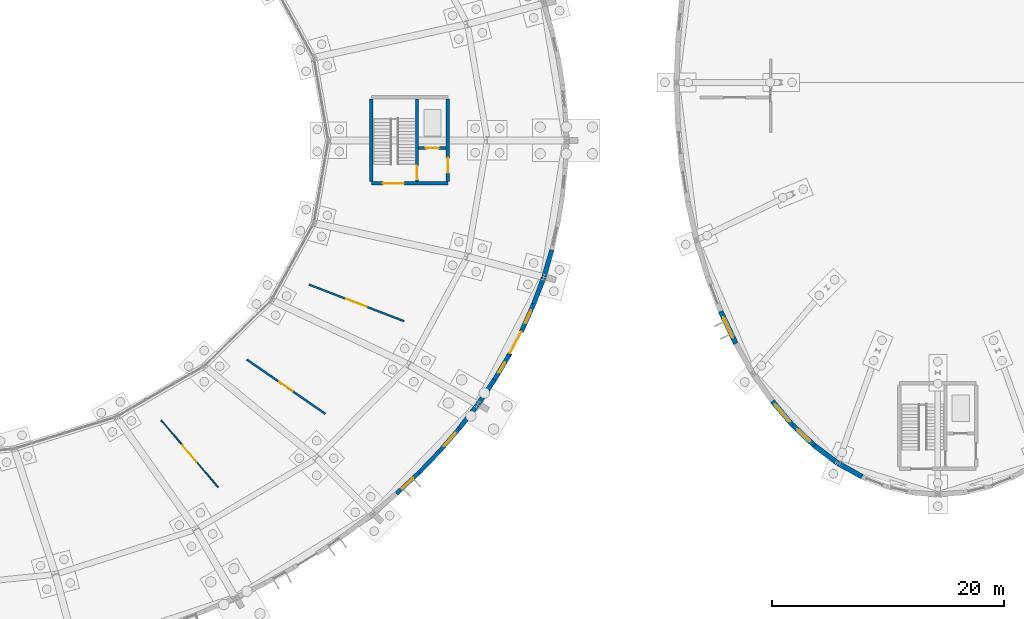
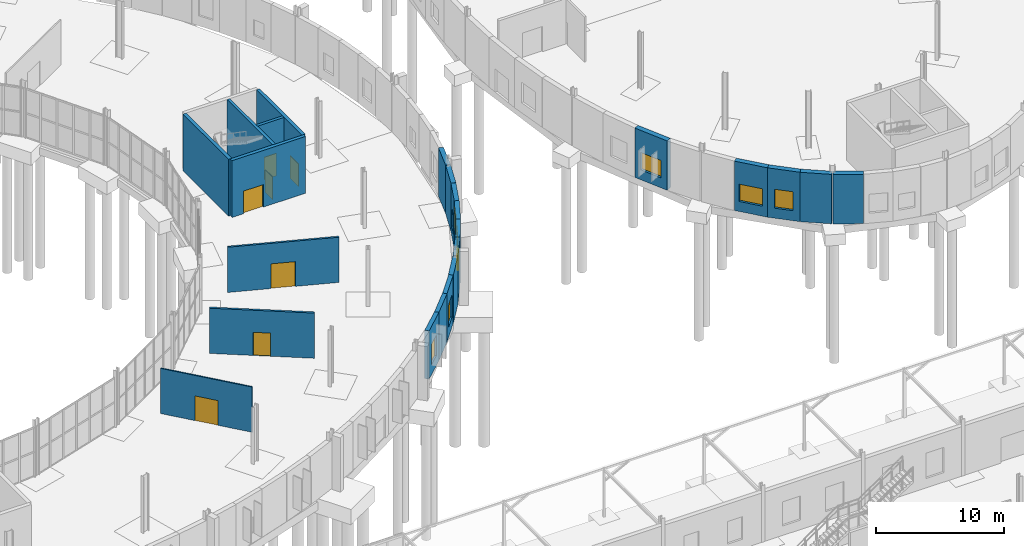
# One storey, part 93 of 118: 23 walls, 8 doors, 7 windows, 15 openings.
"""IFC4 building model written with IfcOpenShell, lengths in metres."""

from ifc_helpers import new_model, si_unit, direction, frame, frame_2d, origin, place, context, subcontext, project, spatial, rectangle, extrude, material, layer, layer_set, type_object, element, fill, save


model = new_model("IFC4")

# Units and contexts
model_context = context("Model", 3, precision=1e-05, world=origin(), true_north=direction((0.0, 1.0)))
body_context = subcontext(model_context, "Body", "Model", "MODEL_VIEW")
ifc_project = project(units=[si_unit("LENGTHUNIT", "METRE"), si_unit("AREAUNIT", "SQUARE_METRE"), si_unit("VOLUMEUNIT", "CUBIC_METRE"), si_unit("PLANEANGLEUNIT", "RADIAN"), si_unit("MASSUNIT", "GRAM", prefix="KILO")], contexts=[model_context])

# Site, building, storey
site_placement = place(None, origin())
site = spatial("IfcSite", under=ifc_project, at=site_placement, CompositionType="ELEMENT")
building_placement = place(site_placement, origin())
building = spatial("IfcBuilding", under=site, at=building_placement, Name="Kildeholm Park Wholesale Market", CompositionType="ELEMENT")
storey_placement = place(building_placement, origin())
storey = spatial("IfcBuildingStorey", under=building, at=storey_placement, Name="L00", CompositionType="ELEMENT", Elevation=0.0)

# Wall, opening, window
ifc_material_1 = material(Name="Red Danish clinker brick masonry with Concrete C35/45 backing", Category="masonry")
ifc_layer_1 = layer(ifc_material_1, 0.360107421875)
ifc_layer_set_1 = layer_set([ifc_layer_1], Name="Red Danish clinker brick masonry with Concrete C35/45 backing")
wall_type_1 = type_object("IfcWallType", Name="Exterior wall W-EX1 360 mm", PredefinedType="SOLIDWALL", material=ifc_layer_set_1)
wall_1_placement = place(storey_placement, frame((141.3779296875, 59.071044921875, 0.0), z_axis=(0.0, 0.0, 1.0), x_axis=(0.730238623616, 0.683192178366, 0.0)))
wall_1 = element("IfcWall", 1, at=wall_1_placement, inside=storey, type_object=wall_type_1, Name="Produce ring outer wall 22.2 WL-0181", PredefinedType="SOLIDWALL", context=body_context, shape_type="SweptSolid", body=[
    extrude(rectangle(XDim=2.63623046875, YDim=0.360107421875, at=frame_2d((1.318115234375, 0.0))), origin(), (0.0, 0.0, 1.0), 4.60009765625),
])
opening_1_placement = place(wall_1_placement, frame((0.66796875, 0.0, 0.949951171875)))
opening_1 = element("IfcOpeningElement", 2, at=opening_1_placement, cuts=wall_1, Name="Opening WN-20", PredefinedType="OPENING", context=body_context, shape_type="SweptSolid", body=[
    extrude(rectangle(XDim=1.300048828125, YDim=1.949951171875, at=frame_2d((0.64990234375, 0.97509765625))), frame((0.0, 0.18994140625, 0.0), z_axis=(0.0, -1.0, 0.0), x_axis=(1.0, 0.0, 0.0)), (0.0, 0.0, 1.0), 0.380126953125),
])
ifc_material_2 = material(Name="Thermally broken aluminium and triple-glazed low-E glass", Category="aluminium")
window_type_1 = type_object("IfcWindowType", Name="Window WN-20 1300x1950", PartitioningType="DOUBLE_PANEL_VERTICAL", PredefinedType="WINDOW", material=ifc_material_2)
window_1_placement = place(opening_1_placement, origin())
window_1 = element("IfcWindow", 3, at=window_1_placement, inside=storey, type_object=window_type_1, Name="Produce hall arcade window 22.1 WIN-0039", OverallHeight=1.949951171875, OverallWidth=1.300048828125, PartitioningType="SINGLE_PANEL", PredefinedType="WINDOW", context=body_context, shape_type="SweptSolid", body=[
    extrude(rectangle(XDim=1.300048828125, YDim=1.949951171875, at=frame_2d((0.64990234375, 0.97509765625))), frame((0.0, 0.030029296875, 0.0), z_axis=(0.0, -1.0, 0.0), x_axis=(1.0, 0.0, 0.0)), (0.0, 0.0, 1.0), 0.06005859375),
])
fill(opening_1, window_1)

# Wall
wall_2_placement = place(storey_placement, frame((143.302978515625, 60.8720703125, 0.0), z_axis=(0.0, 0.0, 1.0), x_axis=(0.693149914462, 0.720793448972, 0.0)))
element("IfcWall", 4, at=wall_2_placement, inside=storey, type_object=wall_type_1, Name="Produce ring outer wall 22.3 WL-0182", PredefinedType="SOLIDWALL", context=body_context, shape_type="SweptSolid", body=[
    extrude(rectangle(XDim=2.60546875, YDim=0.360107421875, at=frame_2d((1.302734375, 0.0))), origin(), (0.0, 0.0, 1.0), 4.60009765625),
])

# Wall, opening, window
wall_3_placement = place(storey_placement, frame((145.10888671875, 62.75, 0.0), z_axis=(0.0, 0.0, 1.0), x_axis=(0.652570020316, 0.757728426671, 0.0)))
wall_3 = element("IfcWall", 5, at=wall_3_placement, inside=storey, type_object=wall_type_1, Name="Produce ring outer wall 22.4 WL-0183", PredefinedType="SOLIDWALL", context=body_context, shape_type="SweptSolid", body=[
    extrude(rectangle(XDim=2.57470703125, YDim=0.360107421875, at=frame_2d((1.287353515625, 0.0))), origin(), (0.0, 0.0, 1.0), 4.60009765625),
])
opening_2_placement = place(wall_3_placement, frame((0.537109375, 0.0, 0.949951171875)))
opening_2 = element("IfcOpeningElement", 6, at=opening_2_placement, cuts=wall_3, Name="Opening WN-01", PredefinedType="OPENING", context=body_context, shape_type="SweptSolid", body=[
    extrude(rectangle(XDim=1.5, YDim=2.10009765625, at=frame_2d((0.75, 1.050048828125))), frame((0.0, 0.18994140625, 0.0), z_axis=(0.0, -1.0, 0.0), x_axis=(1.0, 0.0, 0.0)), (0.0, 0.0, 1.0), 0.380126953125),
])
window_type_2 = type_object("IfcWindowType", Name="Window WN-01 1500x2100", PartitioningType="DOUBLE_PANEL_VERTICAL", PredefinedType="WINDOW", material=ifc_material_2)
window_2_placement = place(opening_2_placement, origin())
window_2 = element("IfcWindow", 7, at=window_2_placement, inside=storey, type_object=window_type_2, Name="Produce hall arcade window 22.3 WIN-0040", OverallHeight=2.10009765625, OverallWidth=1.5, PartitioningType="SINGLE_PANEL", PredefinedType="WINDOW", context=body_context, shape_type="SweptSolid", body=[
    extrude(rectangle(XDim=1.5, YDim=2.10009765625, at=frame_2d((0.75, 1.050048828125))), frame((0.0, 0.030029296875, 0.0), z_axis=(0.0, -1.0, 0.0), x_axis=(1.0, 0.0, 0.0)), (0.0, 0.0, 1.0), 0.06005859375),
])
fill(opening_2, window_2)

# Walls
ifc_material_3 = material(Name="Bornholm granite stone plinth and Concrete C35/45 wall", Category="masonry")
ifc_layer_2 = layer(ifc_material_3, 0.39990234375)
ifc_layer_set_2 = layer_set([ifc_layer_2], Name="Bornholm granite stone plinth and Concrete C35/45 wall")
wall_type_2 = type_object("IfcWallType", Name="Exterior wall W-EX2 400 mm", PredefinedType="SOLIDWALL", material=ifc_layer_set_2)
wall_4_placement = place(storey_placement, frame((146.7890625, 64.700927734375, 0.0), z_axis=(0.0, 0.0, 1.0), x_axis=(0.609808109702, 0.792549095856, 0.0)))
element("IfcWall", 8, at=wall_4_placement, inside=storey, type_object=wall_type_2, Name="Produce ring outer wall 22.5 WL-0184", PredefinedType="SOLIDWALL", context=body_context, shape_type="SweptSolid", body=[
    extrude(rectangle(XDim=2.545166015625, YDim=0.39990234375, at=frame_2d((1.2724609375, 0.0))), origin(), (0.0, 0.0, 1.0), 4.60009765625),
])
wall_5_placement = place(storey_placement, frame((148.387939453125, 66.782958984375, 0.0), z_axis=(0.0, 0.0, 1.0), x_axis=(0.561757719856, 0.827301797521, 0.0)))
element("IfcWall", 9, at=wall_5_placement, inside=storey, type_object=wall_type_2, Name="Produce ring outer wall 23.1 WL-0189", PredefinedType="SOLIDWALL", context=body_context, shape_type="SweptSolid", body=[
    extrude(rectangle(XDim=2.515380859375, YDim=0.39990234375, at=frame_2d((1.2578125, 0.0))), origin(), (0.0, 0.0, 1.0), 4.60009765625),
])
wall_6_placement = place(storey_placement, frame((153.200927734375, 75.41796875, 0.0), z_axis=(0.0, 0.0, 1.0), x_axis=(0.348624527721, 0.937262470534, 0.0)))
element("IfcWall", 10, at=wall_6_placement, inside=storey, type_object=wall_type_2, Name="Produce ring outer wall 23.5 WL-0193", PredefinedType="SOLIDWALL", context=body_context, shape_type="SweptSolid", body=[
    extrude(rectangle(XDim=2.4208984375, YDim=0.39990234375, at=frame_2d((1.21044921875, 0.0))), origin(), (0.0, 0.0, 1.0), 4.60009765625),
])
wall_7_placement = place(storey_placement, frame((154.071044921875, 77.761962890625, 0.0), z_axis=(0.0, 0.0, 1.0), x_axis=(0.287208023904, 0.95786823259, 0.0)))
element("IfcWall", 11, at=wall_7_placement, inside=storey, type_object=wall_type_2, Name="Produce ring outer wall 24.1 WL-0198", PredefinedType="SOLIDWALL", context=body_context, shape_type="SweptSolid", body=[
    extrude(rectangle(XDim=2.40234375, YDim=0.39990234375, at=frame_2d((1.201171875, 0.0))), origin(), (0.0, 0.0, 1.0), 4.60009765625),
])

# Wall, opening, window
ifc_material_4 = material(Name="Insulated clinker brick and glazed ceramic mosaic facade wall", Category="masonry")
ifc_layer_3 = layer(ifc_material_4, 0.43994140625)
ifc_layer_set_3 = layer_set([ifc_layer_3], Name="Insulated clinker brick and glazed ceramic mosaic facade wall")
wall_type_3 = type_object("IfcWallType", Name="Exterior wall W-EX3 440 mm", PredefinedType="SOLIDWALL", material=ifc_layer_set_3)
wall_8_placement = place(storey_placement, frame((169.2919921875, 74.777099609375, 0.0), z_axis=(0.0, 0.0, 1.0), x_axis=(0.425050654278, -0.905169564942, 0.0)))
wall_8 = element("IfcWall", 12, at=wall_8_placement, inside=storey, type_object=wall_type_3, Name="Oval hall ground wall 10.3 WL-0263", PredefinedType="SOLIDWALL", context=body_context, shape_type="SweptSolid", body=[
    extrude(rectangle(XDim=3.072265625, YDim=0.43994140625, at=frame_2d((1.5361328125, 0.0))), origin(), (0.0, 0.0, 1.0), 4.699951171875),
])
opening_3_placement = place(wall_8_placement, frame((0.56103515625, 0.0, 0.949951171875)))
opening_3 = element("IfcOpeningElement", 13, at=opening_3_placement, cuts=wall_8, Name="Opening WN-22", PredefinedType="OPENING", context=body_context, shape_type="SweptSolid", body=[
    extrude(rectangle(XDim=1.949951171875, YDim=1.64990234375, at=frame_2d((0.97509765625, 0.824951171875))), frame((0.0, 0.22998046875, 0.0), z_axis=(0.0, -1.0, 0.0), x_axis=(1.0, 0.0, 0.0)), (0.0, 0.0, 1.0), 0.4599609375),
])
window_type_3 = type_object("IfcWindowType", Name="Window WN-22 1950x1650", PartitioningType="DOUBLE_PANEL_VERTICAL", PredefinedType="WINDOW", material=ifc_material_2)
window_3_placement = place(opening_3_placement, origin())
window_3 = element("IfcWindow", 14, at=window_3_placement, inside=storey, type_object=window_type_3, Name="Oval hall ground window 10.2 WIN-0072", OverallHeight=1.64990234375, OverallWidth=1.949951171875, PartitioningType="SINGLE_PANEL", PredefinedType="WINDOW", context=body_context, shape_type="SweptSolid", body=[
    extrude(rectangle(XDim=1.949951171875, YDim=1.64990234375, at=frame_2d((0.97509765625, 0.824951171875))), frame((0.0, 0.030029296875, 0.0), z_axis=(0.0, -1.0, 0.0), x_axis=(1.0, 0.0, 0.0)), (0.0, 0.0, 1.0), 0.06005859375),
])
fill(opening_3, window_3)

wall_9_placement = place(storey_placement, frame((173.739013671875, 67.041015625, 0.0), z_axis=(0.0, 0.0, 1.0), x_axis=(0.650130504047, -0.759822563305, 0.0)))
wall_9 = element("IfcWall", 15, at=wall_9_placement, inside=storey, type_object=wall_type_3, Name="Oval hall ground wall 11.2 WL-0268", PredefinedType="SOLIDWALL", context=body_context, shape_type="SweptSolid", body=[
    extrude(rectangle(XDim=2.708740234375, YDim=0.43994140625, at=frame_2d((1.3544921875, 0.0))), origin(), (0.0, 0.0, 1.0), 4.699951171875),
])
opening_4_placement = place(wall_9_placement, frame((0.37890625, 0.0, 0.949951171875)))
opening_4 = element("IfcOpeningElement", 16, at=opening_4_placement, cuts=wall_9, Name="Opening WN-22", PredefinedType="OPENING", context=body_context, shape_type="SweptSolid", body=[
    extrude(rectangle(XDim=1.949951171875, YDim=1.64990234375, at=frame_2d((0.97509765625, 0.824951171875))), frame((0.0, 0.22998046875, 0.0), z_axis=(0.0, -1.0, 0.0), x_axis=(1.0, 0.0, 0.0)), (0.0, 0.0, 1.0), 0.4599609375),
])
window_4_placement = place(opening_4_placement, origin())
window_4 = element("IfcWindow", 17, at=window_4_placement, inside=storey, type_object=window_type_3, Name="Oval hall ground window 11.1 WIN-0075", OverallHeight=1.64990234375, OverallWidth=1.949951171875, PartitioningType="SINGLE_PANEL", PredefinedType="WINDOW", context=body_context, shape_type="SweptSolid", body=[
    extrude(rectangle(XDim=1.949951171875, YDim=1.64990234375, at=frame_2d((0.97509765625, 0.824951171875))), frame((0.0, 0.030029296875, 0.0), z_axis=(0.0, -1.0, 0.0), x_axis=(1.0, 0.0, 0.0)), (0.0, 0.0, 1.0), 0.06005859375),
])
fill(opening_4, window_4)

wall_10_placement = place(storey_placement, frame((175.5, 64.98291015625, 0.0), z_axis=(0.0, 0.0, 1.0), x_axis=(0.726185715467, -0.687498586654, 0.0)))
wall_10 = element("IfcWall", 18, at=wall_10_placement, inside=storey, type_object=wall_type_3, Name="Oval hall ground wall 11.3 WL-0269", PredefinedType="SOLIDWALL", context=body_context, shape_type="SweptSolid", body=[
    extrude(rectangle(XDim=2.58740234375, YDim=0.43994140625, at=frame_2d((1.293701171875, 0.0))), origin(), (0.0, 0.0, 1.0), 4.699951171875),
])
opening_5_placement = place(wall_10_placement, frame((0.5439453125, 0.0, 0.949951171875)))
opening_5 = element("IfcOpeningElement", 19, at=opening_5_placement, cuts=wall_10, Name="Opening WN-06", PredefinedType="OPENING", context=body_context, shape_type="SweptSolid", body=[
    extrude(rectangle(XDim=1.5, YDim=1.800048828125, at=frame_2d((0.75, 0.89990234375))), frame((0.0, 0.22998046875, 0.0), z_axis=(0.0, -1.0, 0.0), x_axis=(1.0, 0.0, 0.0)), (0.0, 0.0, 1.0), 0.4599609375),
])
window_type_4 = type_object("IfcWindowType", Name="Window WN-06 1500x1800", PartitioningType="DOUBLE_PANEL_VERTICAL", PredefinedType="WINDOW", material=ifc_material_2)
window_5_placement = place(opening_5_placement, origin())
window_5 = element("IfcWindow", 20, at=window_5_placement, inside=storey, type_object=window_type_4, Name="Oval hall ground window 11.2 WIN-0076", OverallHeight=1.800048828125, OverallWidth=1.5, PartitioningType="SINGLE_PANEL", PredefinedType="WINDOW", context=body_context, shape_type="SweptSolid", body=[
    extrude(rectangle(XDim=1.5, YDim=1.800048828125, at=frame_2d((0.75, 0.89990234375))), frame((0.0, 0.030029296875, 0.0), z_axis=(0.0, -1.0, 0.0), x_axis=(1.0, 0.0, 0.0)), (0.0, 0.0, 1.0), 0.06005859375),
])
fill(opening_5, window_5)

# Walls
wall_11_placement = place(storey_placement, frame((177.37890625, 63.2041015625, 0.0), z_axis=(0.0, 0.0, 1.0), x_axis=(0.800544553706, -0.599273241128, 0.0)))
element("IfcWall", 21, at=wall_11_placement, inside=storey, type_object=wall_type_3, Name="Oval hall ground wall 11.4 WL-0270", PredefinedType="SOLIDWALL", context=body_context, shape_type="SweptSolid", body=[
    extrude(rectangle(XDim=2.473388671875, YDim=0.43994140625, at=frame_2d((1.23681640625, 0.0))), origin(), (0.0, 0.0, 1.0), 4.699951171875),
])
wall_12_placement = place(storey_placement, frame((179.426025390625, 61.678955078125, 0.0), z_axis=(0.0, 0.0, 1.0), x_axis=(0.871647221565, -0.490133778817, 0.0)))
element("IfcWall", 22, at=wall_12_placement, inside=storey, type_object=wall_type_3, Name="Oval hall ground wall 12.1 WL-0273", PredefinedType="SOLIDWALL", context=body_context, shape_type="SweptSolid", body=[
    extrude(rectangle(XDim=2.364501953125, YDim=0.43994140625, at=frame_2d((1.18212890625, 0.0))), origin(), (0.0, 0.0, 1.0), 4.699951171875),
])

# Wall, opening, window
ifc_material_5 = material(Name="Bornholm granite and ceramic-banded hall facade wall", Category="masonry")
ifc_layer_4 = layer(ifc_material_5, 0.389892578125)
ifc_layer_set_4 = layer_set([ifc_layer_4], Name="Bornholm granite and ceramic-banded hall facade wall")
wall_type_4 = type_object("IfcWallType", Name="Exterior wall W-EX5 390 mm", PredefinedType="SOLIDWALL", material=ifc_layer_set_4)
wall_13_placement = place(storey_placement, frame((149.801025390625, 68.864013671875, 0.0), z_axis=(0.0, 0.0, 1.0), x_axis=(0.512344316931, 0.858780123727, 0.0)))
wall_13 = element("IfcWall", 23, at=wall_13_placement, inside=storey, type_object=wall_type_4, Name="Produce ring outer wall 23.2 WL-0190", PredefinedType="SOLIDWALL", context=body_context, shape_type="SweptSolid", body=[
    extrude(rectangle(XDim=2.48828125, YDim=0.389892578125, at=frame_2d((1.244140625, 0.0))), origin(), (0.0, 0.0, 1.0), 4.60009765625),
])
opening_6_placement = place(wall_13_placement, frame((0.718994140625, 0.0, 0.949951171875)))
opening_6 = element("IfcOpeningElement", 24, at=opening_6_placement, cuts=wall_13, Name="Opening WN-26", PredefinedType="OPENING", context=body_context, shape_type="SweptSolid", body=[
    extrude(rectangle(XDim=1.050048828125, YDim=1.35009765625, at=frame_2d((0.52490234375, 0.675048828125))), frame((0.0, 0.204833984375, 0.0), z_axis=(0.0, -1.0, 0.0), x_axis=(1.0, 0.0, 0.0)), (0.0, 0.0, 1.0), 0.409912109375),
])
window_type_5 = type_object("IfcWindowType", Name="Window WN-26 1050x1350", PartitioningType="SINGLE_PANEL", PredefinedType="WINDOW", material=ifc_material_2)
window_6_placement = place(opening_6_placement, origin())
window_6 = element("IfcWindow", 25, at=window_6_placement, inside=storey, type_object=window_type_5, Name="Produce hall arcade window 23.1 WIN-0041", OverallHeight=1.35009765625, OverallWidth=1.050048828125, PartitioningType="SINGLE_PANEL", PredefinedType="WINDOW", context=body_context, shape_type="SweptSolid", body=[
    extrude(rectangle(XDim=1.050048828125, YDim=1.35009765625, at=frame_2d((0.52490234375, 0.675048828125))), frame((0.0, 0.030029296875, 0.0), z_axis=(0.0, -1.0, 0.0), x_axis=(1.0, 0.0, 0.0)), (0.0, 0.0, 1.0), 0.06005859375),
])
fill(opening_6, window_6)

# Wall, opening, door
wall_14_placement = place(storey_placement, frame((151.075927734375, 71.0009765625, 0.0), z_axis=(0.0, 0.0, 1.0), x_axis=(0.460800257055, 0.88750387216, 0.0)))
wall_14 = element("IfcWall", 26, at=wall_14_placement, inside=storey, type_object=wall_type_4, Name="Produce ring outer wall 23.3 WL-0191", PredefinedType="SOLIDWALL", context=body_context, shape_type="SweptSolid", body=[
    extrude(rectangle(XDim=2.463134765625, YDim=0.389892578125, at=frame_2d((1.2314453125, 0.0))), origin(), (0.0, 0.0, 1.0), 4.60009765625),
])
opening_7_placement = place(wall_14_placement, frame((0.181884765625, 0.0, 0.0)))
opening_7 = element("IfcOpeningElement", 27, at=opening_7_placement, cuts=wall_14, Name="Opening D-EX10", PredefinedType="OPENING", context=body_context, shape_type="SweptSolid", body=[
    extrude(rectangle(XDim=2.10009765625, YDim=2.35009765625, at=frame_2d((1.050048828125, 1.175048828125))), frame((0.0, 0.204833984375, 0.0), z_axis=(0.0, -1.0, 0.0), x_axis=(1.0, 0.0, 0.0)), (0.0, 0.0, 1.0), 0.409912109375),
])
ifc_material_6 = material(Name="Anodised aluminium park colonnade door", Category="aluminium")
door_type_1 = type_object("IfcDoorType", Name="Exterior door D-EX10 2100x2350", OperationType="NOTDEFINED", PredefinedType="DOOR", material=ifc_material_6)
door_1_placement = place(opening_7_placement, frame((2.10009765625, 0.0, 0.0), z_axis=(0.0, 0.0, 1.0), x_axis=(-1.0, 0.0, 0.0)))
door_1 = element("IfcDoor", 28, at=door_1_placement, inside=storey, type_object=door_type_1, Name="Produce hall public exit 23 DR-0010 WL-0191", OperationType="DOUBLE_DOOR_SINGLE_SWING", OverallHeight=2.35009765625, OverallWidth=2.10009765625, PredefinedType="DOOR", context=body_context, shape_type="SweptSolid", body=[
    extrude(rectangle(XDim=2.10009765625, YDim=2.35009765625, at=frame_2d((1.050048828125, 1.175048828125))), frame((0.0, 0.02490234375, 0.0), z_axis=(0.0, -1.0, 0.0), x_axis=(1.0, 0.0, 0.0)), (0.0, 0.0, 1.0), 0.050048828125),
])
fill(opening_7, door_1)

# Wall, opening, window
wall_15_placement = place(storey_placement, frame((152.2109375, 73.18701171875, 0.0), z_axis=(0.0, 0.0, 1.0), x_axis=(0.405609389351, 0.914046510453, 0.0)))
wall_15 = element("IfcWall", 29, at=wall_15_placement, inside=storey, type_object=wall_type_4, Name="Produce ring outer wall 23.4 WL-0192", PredefinedType="SOLIDWALL", context=body_context, shape_type="SweptSolid", body=[
    extrude(rectangle(XDim=2.440673828125, YDim=0.389892578125, at=frame_2d((1.22021484375, 0.0))), origin(), (0.0, 0.0, 1.0), 4.60009765625),
])
opening_8_placement = place(wall_15_placement, frame((0.6201171875, 0.0, 0.949951171875)))
opening_8 = element("IfcOpeningElement", 30, at=opening_8_placement, cuts=wall_15, Name="Opening WN-05", PredefinedType="OPENING", context=body_context, shape_type="SweptSolid", body=[
    extrude(rectangle(XDim=1.199951171875, YDim=1.800048828125, at=frame_2d((0.60009765625, 0.89990234375))), frame((0.0, 0.204833984375, 0.0), z_axis=(0.0, -1.0, 0.0), x_axis=(1.0, 0.0, 0.0)), (0.0, 0.0, 1.0), 0.409912109375),
])
window_type_6 = type_object("IfcWindowType", Name="Window WN-05 1200x1800", PartitioningType="SINGLE_PANEL", PredefinedType="WINDOW", material=ifc_material_2)
window_7_placement = place(opening_8_placement, origin())
window_7 = element("IfcWindow", 31, at=window_7_placement, inside=storey, type_object=window_type_6, Name="Produce hall arcade window 23.3 WIN-0042", OverallHeight=1.800048828125, OverallWidth=1.199951171875, PartitioningType="SINGLE_PANEL", PredefinedType="WINDOW", context=body_context, shape_type="SweptSolid", body=[
    extrude(rectangle(XDim=1.199951171875, YDim=1.800048828125, at=frame_2d((0.60009765625, 0.89990234375))), frame((0.0, 0.030029296875, 0.0), z_axis=(0.0, -1.0, 0.0), x_axis=(1.0, 0.0, 0.0)), (0.0, 0.0, 1.0), 0.06005859375),
])
fill(opening_8, window_7)

# Wall, opening, door
ifc_material_7 = material(Name="Hygienic ceramic-tiled wet fish stall partition")
ifc_layer_5 = layer(ifc_material_7, 0.1650390625)
ifc_layer_set_5 = layer_set([ifc_layer_5], Name="Hygienic ceramic-tiled wet fish stall partition")
wall_type_5 = type_object("IfcWallType", Name="Partition W-PT05 165 mm", PredefinedType="PARTITIONING", material=ifc_layer_set_5)
wall_16_placement = place(storey_placement, frame((133.830078125, 77.08203125, 0.0), z_axis=(0.0, 0.0, 1.0), x_axis=(0.933238808021, -0.359256631399, 0.0)))
wall_16 = element("IfcWall", 32, at=wall_16_placement, inside=storey, type_object=wall_type_5, Name="Interior partition W-V1-ST0-22 WL-0954", PredefinedType="PARTITIONING", context=body_context, shape_type="SweptSolid", body=[
    extrude(rectangle(XDim=8.7822265625, YDim=0.1650390625, at=frame_2d((4.39111328125, 0.0))), origin(), (0.0, 0.0, 1.0), 4.300048828125),
])
opening_9_placement = place(wall_16_placement, frame((3.44091796875, 0.0, 0.0)))
opening_9 = element("IfcOpeningElement", 33, at=opening_9_placement, cuts=wall_16, Name="Opening D-IN09", PredefinedType="OPENING", context=body_context, shape_type="SweptSolid", body=[
    extrude(rectangle(XDim=1.89990234375, YDim=2.35009765625, at=frame_2d((0.949951171875, 1.175048828125))), frame((0.0, 0.092529296875, 0.0), z_axis=(0.0, -1.0, 0.0), x_axis=(1.0, 0.0, 0.0)), (0.0, 0.0, 1.0), 0.18505859375),
])
ifc_material_8 = material(Name="Wide trolley concourse double doorset")
door_type_2 = type_object("IfcDoorType", Name="Interior door D-IN09 1900x2350", OperationType="NOTDEFINED", PredefinedType="DOOR", material=ifc_material_8)
door_2_placement = place(opening_9_placement, origin())
door_2 = element("IfcDoor", 34, at=door_2_placement, inside=storey, type_object=door_type_2, Name="Interior door V1-ST0-22 DR-0229 WL-0954", OperationType="DOUBLE_DOOR_SINGLE_SWING", OverallHeight=2.35009765625, OverallWidth=1.89990234375, PredefinedType="DOOR", context=body_context, shape_type="SweptSolid", body=[
    extrude(rectangle(XDim=1.89990234375, YDim=2.35009765625, at=frame_2d((0.949951171875, 1.175048828125))), frame((0.0, 0.02490234375, 0.0), z_axis=(0.0, -1.0, 0.0), x_axis=(1.0, 0.0, 0.0)), (0.0, 0.0, 1.0), 0.050048828125),
])
fill(opening_9, door_2)

ifc_material_9 = material(Name="Masonry market stall division wall", Category="masonry")
ifc_layer_6 = layer(ifc_material_9, 0.179931640625)
ifc_layer_set_6 = layer_set([ifc_layer_6], Name="Masonry market stall division wall")
wall_type_6 = type_object("IfcWallType", Name="Partition W-PT06 180 mm", PredefinedType="PARTITIONING", material=ifc_layer_set_6)
wall_17_placement = place(storey_placement, frame((128.47509765625, 70.6259765625, 0.0), z_axis=(0.0, 0.0, 1.0), x_axis=(0.822666462931, -0.568524309743, 0.0)))
wall_17 = element("IfcWall", 35, at=wall_17_placement, inside=storey, type_object=wall_type_6, Name="Interior partition W-V1-ST0-21 WL-0951", PredefinedType="PARTITIONING", context=body_context, shape_type="SweptSolid", body=[
    extrude(rectangle(XDim=8.22314453125, YDim=0.179931640625, at=frame_2d((4.111572265625, 0.0))), origin(), (0.0, 0.0, 1.0), 4.300048828125),
])
opening_10_placement = place(wall_17_placement, frame((3.43701171875, 0.0, 0.0)))
opening_10 = element("IfcOpeningElement", 36, at=opening_10_placement, cuts=wall_17, Name="Opening D-IN07", PredefinedType="OPENING", context=body_context, shape_type="SweptSolid", body=[
    extrude(rectangle(XDim=1.35009765625, YDim=2.199951171875, at=frame_2d((0.675048828125, 1.10009765625))), frame((0.0, 0.099853515625, 0.0), z_axis=(0.0, -1.0, 0.0), x_axis=(1.0, 0.0, 0.0)), (0.0, 0.0, 1.0), 0.199951171875),
])
ifc_material_10 = material(Name="Wholesale stall service doorset")
door_type_3 = type_object("IfcDoorType", Name="Interior door D-IN07 1350x2200", OperationType="NOTDEFINED", PredefinedType="DOOR", material=ifc_material_10)
door_3_placement = place(opening_10_placement, origin())
door_3 = element("IfcDoor", 37, at=door_3_placement, inside=storey, type_object=door_type_3, Name="Interior door V1-ST0-21 DR-0226 WL-0951", OperationType="SINGLE_SWING_RIGHT", OverallHeight=2.199951171875, OverallWidth=1.35009765625, PredefinedType="DOOR", context=body_context, shape_type="SweptSolid", body=[
    extrude(rectangle(XDim=1.35009765625, YDim=2.199951171875, at=frame_2d((0.675048828125, 1.10009765625))), frame((0.0, 0.02490234375, 0.0), z_axis=(0.0, -1.0, 0.0), x_axis=(1.0, 0.0, 0.0)), (0.0, 0.0, 1.0), 0.050048828125),
])
fill(opening_10, door_3)

ifc_material_11 = material(Name="Lightweight buyers booth acoustic partition")
ifc_layer_7 = layer(ifc_material_11, 0.110107421875)
ifc_layer_set_7 = layer_set([ifc_layer_7], Name="Lightweight buyers booth acoustic partition")
wall_type_7 = type_object("IfcWallType", Name="Partition W-PT14 110 mm", PredefinedType="PARTITIONING", material=ifc_layer_set_7)
wall_18_placement = place(storey_placement, frame((121.093994140625, 65.406982421875, 0.0), z_axis=(0.0, 0.0, 1.0), x_axis=(0.647387575623, -0.762160958676, 0.0)))
wall_18 = element("IfcWall", 38, at=wall_18_placement, inside=storey, type_object=wall_type_7, Name="Interior partition W-V1-ST0-20 WL-0949", PredefinedType="PARTITIONING", context=body_context, shape_type="SweptSolid", body=[
    extrude(rectangle(XDim=7.5810546875, YDim=0.110107421875, at=frame_2d((3.79052734375, 0.0))), origin(), (0.0, 0.0, 1.0), 4.300048828125),
])
opening_11_placement = place(wall_18_placement, frame((2.841064453125, 0.0, 0.0)))
opening_11 = element("IfcOpeningElement", 39, at=opening_11_placement, cuts=wall_18, Name="Opening D-IN09", PredefinedType="OPENING", context=body_context, shape_type="SweptSolid", body=[
    extrude(rectangle(XDim=1.89990234375, YDim=2.35009765625, at=frame_2d((0.949951171875, 1.175048828125))), frame((0.0, 0.06494140625, 0.0), z_axis=(0.0, -1.0, 0.0), x_axis=(1.0, 0.0, 0.0)), (0.0, 0.0, 1.0), 0.130126953125),
])
door_4_placement = place(opening_11_placement, origin())
door_4 = element("IfcDoor", 40, at=door_4_placement, inside=storey, type_object=door_type_2, Name="Interior door V1-ST0-20 DR-0224 WL-0949", OperationType="DOUBLE_DOOR_SINGLE_SWING", OverallHeight=2.35009765625, OverallWidth=1.89990234375, PredefinedType="DOOR", context=body_context, shape_type="SweptSolid", body=[
    extrude(rectangle(XDim=1.89990234375, YDim=2.35009765625, at=frame_2d((0.949951171875, 1.175048828125))), frame((0.0, 0.02490234375, 0.0), z_axis=(0.0, -1.0, 0.0), x_axis=(1.0, 0.0, 0.0)), (0.0, 0.0, 1.0), 0.050048828125),
])
fill(opening_11, door_4)

ifc_material_12 = material(Name="Concrete C40/50", Category="concrete")
ifc_layer_8 = layer(ifc_material_12, 0.300048828125)
ifc_layer_set_8 = layer_set([ifc_layer_8], Name="Concrete C40/50")
wall_type_8 = type_object("IfcWallType", Name="Shear wall W-SH1 300 mm", PredefinedType="SHEAR", material=ifc_layer_set_8)
wall_19_placement = place(storey_placement, frame((139.199951171875, 85.800048828125, 0.0), z_axis=(0.0, 0.0, 1.0), x_axis=(1.0, 0.0, 0.0)))
wall_19 = element("IfcWall", 41, at=wall_19_placement, inside=storey, type_object=wall_type_8, Name="Core C08 south shear wall L00 WL-0792", PredefinedType="SHEAR", context=body_context, shape_type="SweptSolid", body=[
    extrude(rectangle(XDim=6.60009765625, YDim=0.300048828125, at=frame_2d((3.300048828125, 0.0))), origin(), (0.0, 0.0, 1.0), 5.39990234375),
])
opening_12_placement = place(wall_19_placement, frame((1.0, 0.0, 0.0)))
opening_12 = element("IfcOpeningElement", 42, at=opening_12_placement, cuts=wall_19, Name="Opening D-EX05", PredefinedType="OPENING", context=body_context, shape_type="SweptSolid", body=[
    extrude(rectangle(XDim=1.800048828125, YDim=2.14990234375, at=frame_2d((0.89990234375, 1.074951171875))), frame((0.0, 0.159912109375, 0.0), z_axis=(0.0, -1.0, 0.0), x_axis=(1.0, 0.0, 0.0)), (0.0, 0.0, 1.0), 0.320068359375),
])
ifc_material_13 = material(Name="Painted galvanized steel escape doorset", Category="steel")
door_type_4 = type_object("IfcDoorType", Name="Exterior door D-EX05 1800x2150", OperationType="NOTDEFINED", PredefinedType="DOOR", material=ifc_material_13)
door_5_placement = place(opening_12_placement, frame((1.800048828125, 0.0, 0.0), z_axis=(0.0, 0.0, 1.0), x_axis=(-1.0, 0.0, 0.0)))
door_5 = element("IfcDoor", 43, at=door_5_placement, inside=storey, type_object=door_type_4, Name="Core C08 grade stair discharge door DR-0148 WL-0792", OperationType="DOUBLE_DOOR_SINGLE_SWING", OverallHeight=2.14990234375, OverallWidth=1.800048828125, PredefinedType="DOOR", context=body_context, shape_type="SweptSolid", body=[
    extrude(rectangle(XDim=1.800048828125, YDim=2.14990234375, at=frame_2d((0.89990234375, 1.074951171875))), frame((0.0, 0.02490234375, 0.0), z_axis=(0.0, -1.0, 0.0), x_axis=(1.0, 0.0, 0.0)), (0.0, 0.0, 1.0), 0.050048828125),
])
fill(opening_12, door_5)

# Wall
wall_20_placement = place(storey_placement, frame((139.199951171875, 85.949951171875, 0.0), z_axis=(0.0, 0.0, 1.0), x_axis=(0.0, 1.0, 0.0)))
element("IfcWall", 44, at=wall_20_placement, inside=storey, type_object=wall_type_8, Name="Core C08 west shear wall L00 WL-0794", PredefinedType="SHEAR", context=body_context, shape_type="SweptSolid", body=[
    extrude(rectangle(XDim=7.10009765625, YDim=0.300048828125, at=frame_2d((3.550048828125, 0.0))), origin(), (0.0, 0.0, 1.0), 5.39990234375),
])

# Wall, opening, door
wall_21_placement = place(storey_placement, frame((145.800048828125, 85.949951171875, 0.0), z_axis=(0.0, 0.0, 1.0), x_axis=(0.0, 1.0, 0.0)))
wall_21 = element("IfcWall", 45, at=wall_21_placement, inside=storey, type_object=wall_type_8, Name="Core C08 east shear wall L00 WL-0795", PredefinedType="SHEAR", context=body_context, shape_type="SweptSolid", body=[
    extrude(rectangle(XDim=7.10009765625, YDim=0.300048828125, at=frame_2d((3.550048828125, 0.0))), origin(), (0.0, 0.0, 1.0), 5.39990234375),
])
opening_13_placement = place(wall_21_placement, frame((0.75, 0.0, 0.0)))
opening_13 = element("IfcOpeningElement", 46, at=opening_13_placement, cuts=wall_21, Name="Opening D-CR02", PredefinedType="OPENING", context=body_context, shape_type="SweptSolid", body=[
    extrude(rectangle(XDim=1.300048828125, YDim=2.14990234375, at=frame_2d((0.64990234375, 1.074951171875))), frame((0.0, 0.159912109375, 0.0), z_axis=(0.0, -1.0, 0.0), x_axis=(1.0, 0.0, 0.0)), (0.0, 0.0, 1.0), 0.320068359375),
])
ifc_material_14 = material(Name="Painted steel core lobby double-leaf doorset", Category="steel")
door_type_5 = type_object("IfcDoorType", Name="Interior door D-CR02 1300x2150", OperationType="NOTDEFINED", PredefinedType="DOOR", material=ifc_material_14)
door_6_placement = place(opening_13_placement, frame((1.300048828125, 0.0, 0.0), z_axis=(0.0, 0.0, 1.0), x_axis=(-1.0, 0.0, 0.0)))
door_6 = element("IfcDoor", 47, at=door_6_placement, inside=storey, type_object=door_type_5, Name="Core C08 lobby entrance door L00 DR-0146 WL-0795", OperationType="DOUBLE_DOOR_SINGLE_SWING", OverallHeight=2.14990234375, OverallWidth=1.300048828125, PredefinedType="DOOR", context=body_context, shape_type="SweptSolid", body=[
    extrude(rectangle(XDim=1.300048828125, YDim=2.14990234375, at=frame_2d((0.64990234375, 1.074951171875))), frame((0.0, 0.02490234375, 0.0), z_axis=(0.0, -1.0, 0.0), x_axis=(1.0, 0.0, 0.0)), (0.0, 0.0, 1.0), 0.050048828125),
])
fill(opening_13, door_6)

ifc_layer_9 = layer(ifc_material_12, 0.25)
ifc_layer_set_9 = layer_set([ifc_layer_9], Name="Concrete C40/50")
wall_type_9 = type_object("IfcWallType", Name="Shear wall W-SH2 250 mm", PredefinedType="SHEAR", material=ifc_layer_set_9)
wall_22_placement = place(storey_placement, frame((143.14990234375, 85.949951171875, 0.0), z_axis=(0.0, 0.0, 1.0), x_axis=(0.0, 1.0, 0.0)))
wall_22 = element("IfcWall", 48, at=wall_22_placement, inside=storey, type_object=wall_type_9, Name="Core C08 shaft wall L00 WL-0796", PredefinedType="SHEAR", context=body_context, shape_type="SweptSolid", body=[
    extrude(rectangle(XDim=7.10009765625, YDim=0.25, at=frame_2d((3.550048828125, 0.0))), origin(), (0.0, 0.0, 1.0), 5.39990234375),
])
opening_14_placement = place(wall_22_placement, frame((0.199951171875, 0.0, 0.0)))
opening_14 = element("IfcOpeningElement", 49, at=opening_14_placement, cuts=wall_22, Name="Opening D-CR01", PredefinedType="OPENING", context=body_context, shape_type="SweptSolid", body=[
    extrude(rectangle(XDim=1.14990234375, YDim=2.14990234375, at=frame_2d((0.574951171875, 1.074951171875))), frame((0.0, 0.135009765625, 0.0), z_axis=(0.0, -1.0, 0.0), x_axis=(1.0, 0.0, 0.0)), (0.0, 0.0, 1.0), 0.27001953125),
])
ifc_material_15 = material(Name="Painted steel fire escape doorset", Category="steel")
door_type_6 = type_object("IfcDoorType", Name="Interior door D-CR01 1150x2150", OperationType="NOTDEFINED", PredefinedType="DOOR", material=ifc_material_15)
door_7_placement = place(opening_14_placement, origin())
door_7 = element("IfcDoor", 50, at=door_7_placement, inside=storey, type_object=door_type_6, Name="Core C08 stair fire door L00 DR-0147 WL-0796", OperationType="SINGLE_SWING_LEFT", OverallHeight=2.14990234375, OverallWidth=1.14990234375, PredefinedType="DOOR", context=body_context, shape_type="SweptSolid", body=[
    extrude(rectangle(XDim=1.14990234375, YDim=2.14990234375, at=frame_2d((0.574951171875, 1.074951171875))), frame((0.0, 0.02490234375, 0.0), z_axis=(0.0, -1.0, 0.0), x_axis=(1.0, 0.0, 0.0)), (0.0, 0.0, 1.0), 0.050048828125),
])
fill(opening_14, door_7)

wall_23_placement = place(storey_placement, frame((143.27001953125, 88.85009765625, 0.0), z_axis=(0.0, 0.0, 1.0), x_axis=(1.0, 0.0, 0.0)))
wall_23 = element("IfcWall", 51, at=wall_23_placement, inside=storey, type_object=wall_type_9, Name="Lift LF-03 shaft front wall L00 WL-0797", PredefinedType="SHEAR", context=body_context, shape_type="SweptSolid", body=[
    extrude(rectangle(XDim=2.3798828125, YDim=0.25, at=frame_2d((1.18994140625, 0.0))), origin(), (0.0, 0.0, 1.0), 5.39990234375),
])
opening_15_placement = place(wall_23_placement, frame((0.639892578125, 0.0, 0.0)))
opening_15 = element("IfcOpeningElement", 52, at=opening_15_placement, cuts=wall_23, Name="Opening LD-03", PredefinedType="OPENING", context=body_context, shape_type="SweptSolid", body=[
    extrude(rectangle(XDim=1.10009765625, YDim=2.14990234375, at=frame_2d((0.550048828125, 1.074951171875))), frame((0.0, 0.135009765625, 0.0), z_axis=(0.0, -1.0, 0.0), x_axis=(1.0, 0.0, 0.0)), (0.0, 0.0, 1.0), 0.27001953125),
])
ifc_material_16 = material(Name="Stainless steel AISI 316 passenger lift landing door", Category="steel")
door_type_7 = type_object("IfcDoorType", Name="Interior door D-LD01 1100x2150", OperationType="NOTDEFINED", PredefinedType="DOOR", material=ifc_material_16)
door_8_placement = place(opening_15_placement, origin())
door_8 = element("IfcDoor", 53, at=door_8_placement, inside=storey, type_object=door_type_7, Name="Lift LF-03 sliding landing door L00 DR-0149 WL-0797", OperationType="SLIDING_TO_LEFT", OverallHeight=2.14990234375, OverallWidth=1.10009765625, PredefinedType="DOOR", context=body_context, shape_type="SweptSolid", body=[
    extrude(rectangle(XDim=1.10009765625, YDim=2.14990234375, at=frame_2d((0.550048828125, 1.074951171875))), frame((0.0, 0.02490234375, 0.0), z_axis=(0.0, -1.0, 0.0), x_axis=(1.0, 0.0, 0.0)), (0.0, 0.0, 1.0), 0.050048828125),
])
fill(opening_15, door_8)

save(model, "model.ifc")
